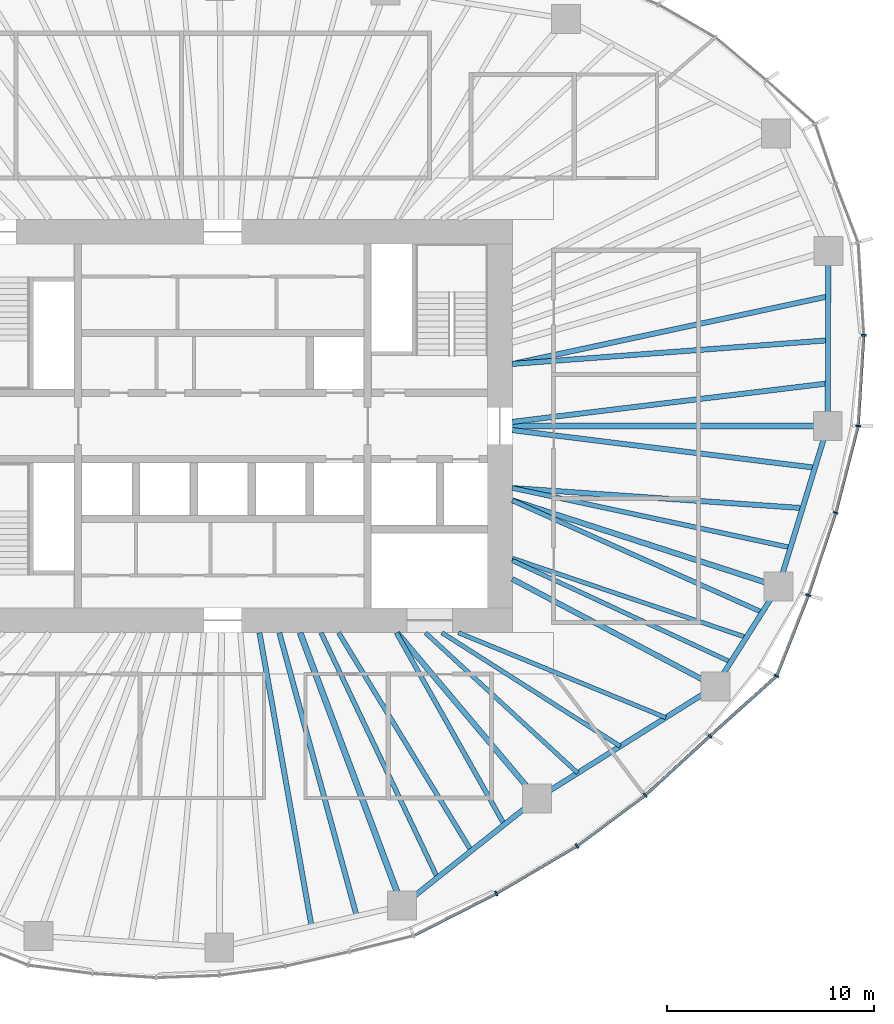
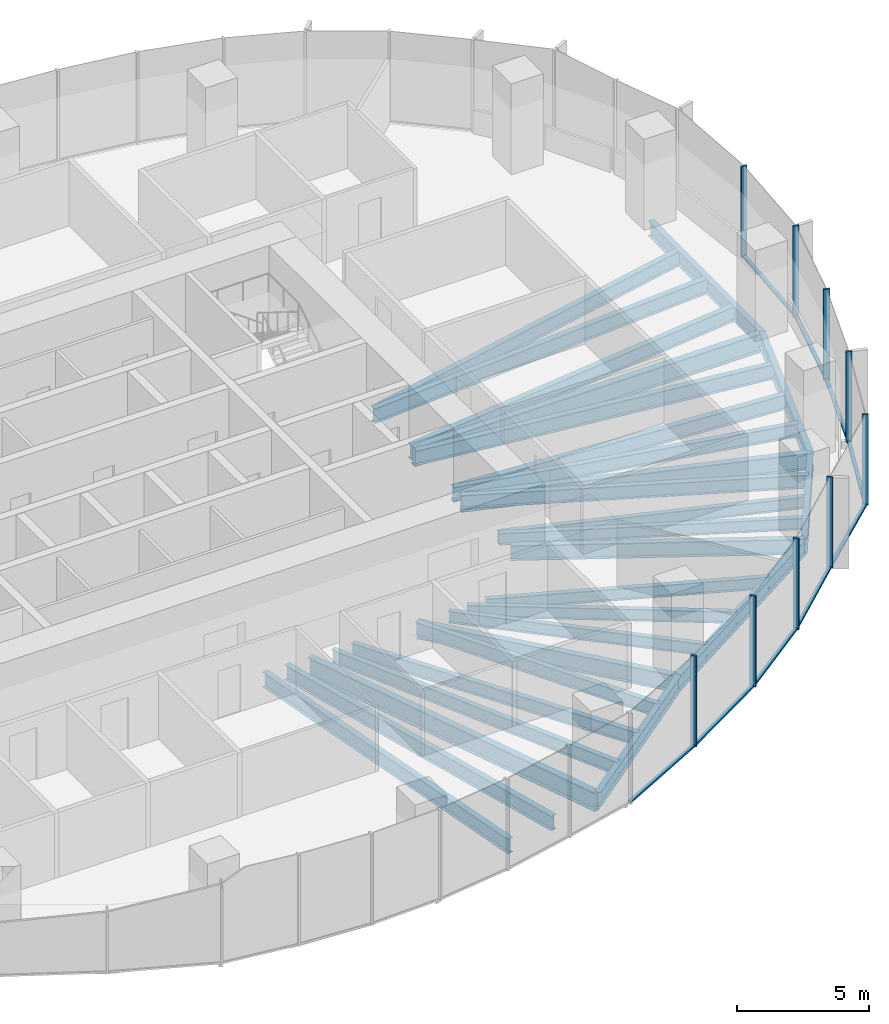
# One storey, part 4 of 18: 27 beams, 18 members, 5 elements without a shape of their own.
"""IFC4 building model written with IfcOpenShell, lengths in metres."""

from ifc_helpers import new_model, si_unit, direction, frame, origin, origin_2d, place, context, subcontext, project, spatial, rectangle, i_section, extrude, material, material_profile, profile_set, type_object, element, aggregate, save


model = new_model("IFC4")

# Units and contexts
model_context = context("Model", 3, precision=1e-05, world=origin(), true_north=direction((0.0, 1.0)))
body_context = subcontext(model_context, "Body", "Model", "MODEL_VIEW")
ifc_project = project(units=[si_unit("LENGTHUNIT", "METRE"), si_unit("AREAUNIT", "SQUARE_METRE"), si_unit("VOLUMEUNIT", "CUBIC_METRE"), si_unit("PLANEANGLEUNIT", "RADIAN"), si_unit("MASSUNIT", "GRAM", prefix="KILO")], contexts=[model_context])

# Site, building, storey
site_placement = place(None, origin())
site = spatial("IfcSite", under=ifc_project, at=site_placement, CompositionType="ELEMENT")
building_placement = place(site_placement, origin())
building = spatial("IfcBuilding", under=site, at=building_placement, Name="Ghaith Harvest Tower", CompositionType="ELEMENT")
storey_placement = place(building_placement, frame((0.0, 0.0, 180.60009765625)))
storey = spatial("IfcBuildingStorey", under=building, at=storey_placement, Name="L39", CompositionType="ELEMENT", Elevation=180.60009765625)

# Curtain wall, members
ifc_material_1 = material(Name="Black anodised aluminium and fritted glass", Category="aluminium")
curtain_wall_type = type_object("IfcCurtainWallType", Name="CW-L CURTAIN WALL", PredefinedType="NOTDEFINED", material=ifc_material_1)
curtain_wall_1_placement = place(storey_placement, origin())
curtain_wall_1 = element("IfcCurtainWall", 1, at=curtain_wall_1_placement, inside=storey, type_object=curtain_wall_type, Name="Curtain wall CW-L bay 01 L39", PredefinedType="NOTDEFINED")
ifc_material_2 = material(Name="Aluminium, black anodised", Category="aluminium")
ifc_material_profile_1 = material_profile(ifc_material_2, rectangle(XDim=0.080078125, YDim=0.239990234375, at=origin_2d()), Name="CW-L MULLION 80x240")
ifc_profile_set_1 = profile_set([ifc_material_profile_1], Name="Aluminium, black anodised")
member_type_1 = type_object("IfcMemberType", Name="CW-L MULLION 80x240", PredefinedType="MULLION", material=ifc_profile_set_1)
member_1_placement = place(storey_placement, frame((30.728759765625, 0.0, 0.0), z_axis=(0.0, 0.0, 1.0), x_axis=(0.155597142981, 0.987820595602, 0.0)))
member_1 = element("IfcMember", 2, at=member_1_placement, type_object=member_type_1, Name="CW-L mullion 1 bay 01 L39", PredefinedType="MULLION", context=body_context, shape_type="SweptSolid", body=[
    extrude(rectangle(XDim=0.080078125, YDim=0.239990234375, at=origin_2d()), origin(), (0.0, 0.0, 1.0), 4.199951171875),
])
member_2_placement = place(storey_placement, frame((30.998779296875, 4.389892578125, 0.0), z_axis=(0.0, 0.0, 1.0), x_axis=(-0.000162467394, 0.999999986802, 0.0)))
member_2 = element("IfcMember", 3, at=member_2_placement, type_object=member_type_1, Name="CW-L mullion 2 bay 01 L39", PredefinedType="MULLION", context=body_context, shape_type="SweptSolid", body=[
    extrude(rectangle(XDim=0.080078125, YDim=0.239990234375, at=origin_2d()), origin(), (0.0, 0.0, 1.0), 4.199951171875),
])

# Curtain wall, member
curtain_wall_2_placement = place(storey_placement, origin())
curtain_wall_2 = element("IfcCurtainWall", 4, at=curtain_wall_2_placement, inside=storey, type_object=curtain_wall_type, Name="Curtain wall CW-L bay 17 L39", PredefinedType="NOTDEFINED")
member_3_placement = place(storey_placement, frame((13.224365234375, -22.614013671875, 0.0), z_axis=(0.0, 0.0, 1.0), x_axis=(0.876898762173, 0.480675109507, 0.0)))
member_3 = element("IfcMember", 5, at=member_3_placement, type_object=member_type_1, Name="CW-L mullion 2 bay 17 L39", PredefinedType="MULLION", context=body_context, shape_type="SweptSolid", body=[
    extrude(rectangle(XDim=0.080078125, YDim=0.239990234375, at=origin_2d()), origin(), (0.0, 0.0, 1.0), 4.199951171875),
])

# Curtain wall, members
curtain_wall_3_placement = place(storey_placement, origin())
curtain_wall_3 = element("IfcCurtainWall", 6, at=curtain_wall_3_placement, inside=storey, type_object=curtain_wall_type, Name="Curtain wall CW-L bay 18 L39", PredefinedType="NOTDEFINED")
member_4_placement = place(storey_placement, frame((17.1318359375, -20.31591796875, 0.0), z_axis=(0.0, 0.0, 1.0), x_axis=(0.834887453241, 0.550420694035, 0.0)))
member_4 = element("IfcMember", 7, at=member_4_placement, type_object=member_type_1, Name="CW-L mullion 1 bay 18 L39", PredefinedType="MULLION", context=body_context, shape_type="SweptSolid", body=[
    extrude(rectangle(XDim=0.080078125, YDim=0.239990234375, at=origin_2d()), origin(), (0.0, 0.0, 1.0), 4.199951171875),
])
member_5_placement = place(storey_placement, frame((20.4296875, -17.86376953125, 0.0), z_axis=(0.0, 0.0, 1.0), x_axis=(0.770306399656, 0.637673937564, 0.0)))
member_5 = element("IfcMember", 8, at=member_5_placement, type_object=member_type_1, Name="CW-L mullion 2 bay 18 L39", PredefinedType="MULLION", context=body_context, shape_type="SweptSolid", body=[
    extrude(rectangle(XDim=0.080078125, YDim=0.239990234375, at=origin_2d()), origin(), (0.0, 0.0, 1.0), 4.199951171875),
])

curtain_wall_4_placement = place(storey_placement, origin())
curtain_wall_4 = element("IfcCurtainWall", 9, at=curtain_wall_4_placement, inside=storey, type_object=curtain_wall_type, Name="Curtain wall CW-L bay 19 L39", PredefinedType="NOTDEFINED")
member_6_placement = place(storey_placement, frame((23.560546875, -14.994140625, 0.0), z_axis=(0.0, 0.0, 1.0), x_axis=(0.740389054945, 0.672178582906, 0.0)))
member_6 = element("IfcMember", 10, at=member_6_placement, type_object=member_type_1, Name="CW-L mullion 1 bay 19 L39", PredefinedType="MULLION", context=body_context, shape_type="SweptSolid", body=[
    extrude(rectangle(XDim=0.080078125, YDim=0.239990234375, at=origin_2d()), origin(), (0.0, 0.0, 1.0), 4.199951171875),
])
member_7_placement = place(storey_placement, frame((26.786376953125, -12.0927734375, 0.0), z_axis=(0.0, 0.0, 1.0), x_axis=(0.572853476908, 0.819657790785, 0.0)))
member_7 = element("IfcMember", 11, at=member_7_placement, type_object=member_type_1, Name="CW-L mullion 2 bay 19 L39", PredefinedType="MULLION", context=body_context, shape_type="SweptSolid", body=[
    extrude(rectangle(XDim=0.080078125, YDim=0.239990234375, at=origin_2d()), origin(), (0.0, 0.0, 1.0), 4.199951171875),
])

curtain_wall_5_placement = place(storey_placement, origin())
curtain_wall_5 = element("IfcCurtainWall", 12, at=curtain_wall_5_placement, inside=storey, type_object=curtain_wall_type, Name="Curtain wall CW-L bay 20 L39", PredefinedType="NOTDEFINED")
member_8_placement = place(storey_placement, frame((28.319580078125, -8.184814453125, 0.0), z_axis=(0.0, 0.0, 1.0), x_axis=(0.34057402484, 0.94021770543, 0.0)))
member_8 = element("IfcMember", 13, at=member_8_placement, type_object=member_type_1, Name="CW-L mullion 1 bay 20 L39", PredefinedType="MULLION", context=body_context, shape_type="SweptSolid", body=[
    extrude(rectangle(XDim=0.080078125, YDim=0.239990234375, at=origin_2d()), origin(), (0.0, 0.0, 1.0), 4.199951171875),
])
member_9_placement = place(storey_placement, frame((29.64599609375, -4.1982421875, 0.0), z_axis=(0.0, 0.0, 1.0), x_axis=(0.282375140161, 0.959304060358, 0.0)))
member_9 = element("IfcMember", 14, at=member_9_placement, type_object=member_type_1, Name="CW-L mullion 2 bay 20 L39", PredefinedType="MULLION", context=body_context, shape_type="SweptSolid", body=[
    extrude(rectangle(XDim=0.080078125, YDim=0.239990234375, at=origin_2d()), origin(), (0.0, 0.0, 1.0), 4.199951171875),
])

# Member
ifc_material_3 = material(Name="Aluminium, black anodised", Category="aluminium")
ifc_material_profile_2 = material_profile(ifc_material_3, rectangle(XDim=0.14990234375, YDim=0.080078125, at=origin_2d()), Name="CW-L TRANSOM 150x80")
ifc_profile_set_2 = profile_set([ifc_material_profile_2], Name="Aluminium, black anodised")
member_type_2 = type_object("IfcMemberType", Name="CW-L TRANSOM 150x80", PredefinedType="USERDEFINED", material=ifc_profile_set_2)
member_10_placement = place(storey_placement, frame((30.731201171875, 0.0400390625, 0.039794921875), z_axis=(0.061403204251, 0.99811304295, 0.0), x_axis=(-0.99811304295, 0.061403204251, 0.0)))
member_10 = element("IfcMember", 15, at=member_10_placement, type_object=member_type_2, Name="CW-L transom 1 bay 01 L39", ObjectType="TRANSOM", PredefinedType="USERDEFINED", context=body_context, shape_type="SweptSolid", body=[
    extrude(rectangle(XDim=0.14990234375, YDim=0.080078125, at=origin_2d()), origin(), (0.0, 0.0, 1.0), 4.31787109375),
])

aggregate(curtain_wall_1, [member_1, member_10, member_2])

member_11_placement = place(storey_placement, frame((9.25244140625, -24.636474609375, 0.039794921875), z_axis=(0.891120044719, 0.453767634258, 0.0), x_axis=(-0.453767634258, 0.891120044719, 0.0)))
member_11 = element("IfcMember", 16, at=member_11_placement, type_object=member_type_2, Name="CW-L transom 1 bay 17 L39", ObjectType="TRANSOM", PredefinedType="USERDEFINED", context=body_context, shape_type="SweptSolid", body=[
    extrude(rectangle(XDim=0.14990234375, YDim=0.080078125, at=origin_2d()), origin(), (0.0, 0.0, 1.0), 4.417236328125),
])

member_12_placement = place(storey_placement, frame((13.259033203125, -22.59375, 0.039794921875), z_axis=(0.86196381091, 0.506969810424, 0.0), x_axis=(-0.506969810424, 0.86196381091, 0.0)))
member_12 = element("IfcMember", 17, at=member_12_placement, type_object=member_type_2, Name="CW-L transom 2 bay 17 L39", ObjectType="TRANSOM", PredefinedType="USERDEFINED", context=body_context, shape_type="SweptSolid", body=[
    extrude(rectangle(XDim=0.14990234375, YDim=0.080078125, at=origin_2d()), origin(), (0.0, 0.0, 1.0), 4.453125),
])

aggregate(curtain_wall_2, [member_11, member_3, member_12])

member_13_placement = place(storey_placement, frame((17.1640625, -20.2919921875, 0.039794921875), z_axis=(0.802465316609, 0.59669876457, 0.0), x_axis=(-0.59669876457, 0.802465316609, 0.0)))
member_13 = element("IfcMember", 18, at=member_13_placement, type_object=member_type_2, Name="CW-L transom 1 bay 18 L39", ObjectType="TRANSOM", PredefinedType="USERDEFINED", context=body_context, shape_type="SweptSolid", body=[
    extrude(rectangle(XDim=0.14990234375, YDim=0.080078125, at=origin_2d()), origin(), (0.0, 0.0, 1.0), 4.029296875),
])

member_14_placement = place(storey_placement, frame((20.459228515625, -17.836669921875, 0.039794921875), z_axis=(0.737197916434, 0.675676869521, 0.0), x_axis=(-0.675676869521, 0.737197916434, 0.0)))
member_14 = element("IfcMember", 19, at=member_14_placement, type_object=member_type_2, Name="CW-L transom 2 bay 18 L39", ObjectType="TRANSOM", PredefinedType="USERDEFINED", context=body_context, shape_type="SweptSolid", body=[
    extrude(rectangle(XDim=0.14990234375, YDim=0.080078125, at=origin_2d()), origin(), (0.0, 0.0, 1.0), 4.166748046875),
])

aggregate(curtain_wall_3, [member_4, member_13, member_5, member_14])

member_15_placement = place(storey_placement, frame((23.59033203125, -14.967529296875, 0.039794921875), z_axis=(0.74346800111, 0.668771509056, 0.0), x_axis=(-0.668771509056, 0.74346800111, 0.0)))
member_15 = element("IfcMember", 20, at=member_15_placement, type_object=member_type_2, Name="CW-L transom 1 bay 19 L39", ObjectType="TRANSOM", PredefinedType="USERDEFINED", context=body_context, shape_type="SweptSolid", body=[
    extrude(rectangle(XDim=0.14990234375, YDim=0.080078125, at=origin_2d()), origin(), (0.0, 0.0, 1.0), 4.2587890625),
])

member_16_placement = place(storey_placement, frame((26.801025390625, -12.055419921875, 0.039794921875), z_axis=(0.365228588652, 0.930917868575, 0.0), x_axis=(-0.930917868575, 0.365228588652, 0.0)))
member_16 = element("IfcMember", 21, at=member_16_placement, type_object=member_type_2, Name="CW-L transom 2 bay 19 L39", ObjectType="TRANSOM", PredefinedType="USERDEFINED", context=body_context, shape_type="SweptSolid", body=[
    extrude(rectangle(XDim=0.14990234375, YDim=0.080078125, at=origin_2d()), origin(), (0.0, 0.0, 1.0), 4.11767578125),
])

aggregate(curtain_wall_4, [member_6, member_15, member_7, member_16])

member_17_placement = place(storey_placement, frame((28.33203125, -8.14697265625, 0.039794921875), z_axis=(0.315712391444, 0.948854934059, 0.0), x_axis=(-0.948854934059, 0.315712391444, 0.0)))
member_17 = element("IfcMember", 22, at=member_17_placement, type_object=member_type_2, Name="CW-L transom 1 bay 20 L39", ObjectType="TRANSOM", PredefinedType="USERDEFINED", context=body_context, shape_type="SweptSolid", body=[
    extrude(rectangle(XDim=0.14990234375, YDim=0.080078125, at=origin_2d()), origin(), (0.0, 0.0, 1.0), 4.12158203125),
])

member_18_placement = place(storey_placement, frame((29.656005859375, -4.159423828125, 0.039794921875), z_axis=(0.249737470584, 0.968313583395, 0.0), x_axis=(-0.968313583395, 0.249737470584, 0.0)))
member_18 = element("IfcMember", 23, at=member_18_placement, type_object=member_type_2, Name="CW-L transom 2 bay 20 L39", ObjectType="TRANSOM", PredefinedType="USERDEFINED", context=body_context, shape_type="SweptSolid", body=[
    extrude(rectangle(XDim=0.14990234375, YDim=0.080078125, at=origin_2d()), origin(), (0.0, 0.0, 1.0), 4.25537109375),
])

aggregate(curtain_wall_5, [member_8, member_17, member_9, member_18])

# Beams
ifc_material_4 = material(Name="Steel ASTM A992 Grade 50", Category="steel")
ifc_material_profile_3 = material_profile(ifc_material_4, i_section(OverallWidth=0.25390625, OverallDepth=0.68408203125, WebThickness=0.012451171875, FlangeThickness=0.018798828125, at=origin_2d()), Name="W690X140")
ifc_profile_set_3 = profile_set([ifc_material_profile_3], Name="Steel ASTM A992 Grade 50")
beam_type_1 = type_object("IfcBeamType", Name="E690-140 W690X140", PredefinedType="SPANDREL", material=ifc_profile_set_3)
beam_1_placement = place(storey_placement, frame((29.259033203125, 0.0, -0.51220703125), z_axis=(0.003172847394, 0.999994966507, 0.0), x_axis=(-0.999994966507, 0.003172847394, 0.0)))
element("IfcBeam", 24, at=beam_1_placement, inside=storey, type_object=beam_type_1, Name="Edge beam E01 L39", PredefinedType="SPANDREL", context=body_context, shape_type="SweptSolid", body=[
    extrude(i_section(OverallWidth=0.25390625, OverallDepth=0.68408203125, WebThickness=0.012451171875, FlangeThickness=0.018798828125, at=origin_2d()), origin(), (0.0, 0.0, 1.0), 8.464111328125),
])
beam_2_placement = place(storey_placement, frame((8.674072265625, -23.202880859375, -0.51220703125), z_axis=(0.783159540917, 0.621820821033, 0.0), x_axis=(-0.621820821033, 0.783159540917, 0.0)))
element("IfcBeam", 25, at=beam_2_placement, inside=storey, type_object=beam_type_1, Name="Edge beam E17 L39", PredefinedType="SPANDREL", context=body_context, shape_type="SweptSolid", body=[
    extrude(i_section(OverallWidth=0.25390625, OverallDepth=0.68408203125, WebThickness=0.012451171875, FlangeThickness=0.018798828125, at=origin_2d()), origin(), (0.0, 0.0, 1.0), 8.330322265625),
])
beam_3_placement = place(storey_placement, frame((15.197998046875, -18.02294921875, -0.51220703125), z_axis=(0.846385185363, 0.532571232793, 0.0), x_axis=(-0.532571232793, 0.846385185363, 0.0)))
element("IfcBeam", 26, at=beam_3_placement, inside=storey, type_object=beam_type_1, Name="Edge beam E18 L39", PredefinedType="SPANDREL", context=body_context, shape_type="SweptSolid", body=[
    extrude(i_section(OverallWidth=0.25390625, OverallDepth=0.68408203125, WebThickness=0.012451171875, FlangeThickness=0.018798828125, at=origin_2d()), origin(), (0.0, 0.0, 1.0), 10.19384765625),
])
beam_4_placement = place(storey_placement, frame((23.825927734375, -12.593994140625, -0.51220703125), z_axis=(0.534499624093, 0.845168712059, 0.0), x_axis=(-0.845168712059, 0.534499624093, 0.0)))
element("IfcBeam", 27, at=beam_4_placement, inside=storey, type_object=beam_type_1, Name="Edge beam E19 L39", PredefinedType="SPANDREL", context=body_context, shape_type="SweptSolid", body=[
    extrude(i_section(OverallWidth=0.25390625, OverallDepth=0.68408203125, WebThickness=0.012451171875, FlangeThickness=0.018798828125, at=origin_2d()), origin(), (0.0, 0.0, 1.0), 5.7099609375),
])
beam_5_placement = place(storey_placement, frame((26.8779296875, -7.76806640625, -0.51220703125), z_axis=(0.293065809375, 0.956092271371, 0.0), x_axis=(-0.956092271371, 0.293065809375, 0.0)))
element("IfcBeam", 28, at=beam_5_placement, inside=storey, type_object=beam_type_1, Name="Edge beam E20 L39", PredefinedType="SPANDREL", context=body_context, shape_type="SweptSolid", body=[
    extrude(i_section(OverallWidth=0.25390625, OverallDepth=0.68408203125, WebThickness=0.012451171875, FlangeThickness=0.018798828125, at=origin_2d()), origin(), (0.0, 0.0, 1.0), 8.124755859375),
])
ifc_material_5 = material(Name="Steel ASTM A992 Grade 50", Category="steel")
ifc_material_profile_4 = material_profile(ifc_material_5, i_section(OverallWidth=0.256103515625, OverallDepth=0.693115234375, WebThickness=0.014404296875, FlangeThickness=0.023681640625, at=origin_2d()), Name="W690X170")
ifc_profile_set_4 = profile_set([ifc_material_profile_4], Name="Steel ASTM A992 Grade 50")
beam_type_2 = type_object("IfcBeamType", Name="G690-170 W690X170", PredefinedType="BEAM", material=ifc_profile_set_4)
beam_6_placement = place(storey_placement, frame((14.0, -7.39990234375, -0.5166015625), z_axis=(0.884080549082, -0.467334551189, 0.0), x_axis=(0.467334551189, 0.884080549082, 0.0)))
element("IfcBeam", 29, at=beam_6_placement, inside=storey, type_object=beam_type_2, Name="Radial girder G19 L39", PredefinedType="BEAM", context=body_context, shape_type="SweptSolid", body=[
    extrude(i_section(OverallWidth=0.256103515625, OverallDepth=0.693115234375, WebThickness=0.014404296875, FlangeThickness=0.023681640625, at=origin_2d()), origin(), (0.0, 0.0, 1.0), 11.1142578125),
])
ifc_material_6 = material(Name="Steel ASTM A992 Grade 50", Category="steel")
ifc_material_profile_5 = material_profile(ifc_material_6, i_section(OverallWidth=0.26806640625, OverallDepth=0.77001953125, WebThickness=0.015625, FlangeThickness=0.025390625, at=origin_2d()), Name="W760X196")
ifc_profile_set_5 = profile_set([ifc_material_profile_5], Name="Steel ASTM A992 Grade 50")
beam_type_3 = type_object("IfcBeamType", Name="G760-196 W760X196", PredefinedType="BEAM", material=ifc_profile_set_5)
beam_7_placement = place(storey_placement, frame((8.4326171875, -10.0, -0.55517578125), z_axis=(0.644649240595, -0.764478486682, 0.0), x_axis=(0.764478486682, 0.644649240595, 0.0)))
element("IfcBeam", 30, at=beam_7_placement, inside=storey, type_object=beam_type_3, Name="Radial girder G18 L39", PredefinedType="BEAM", context=body_context, shape_type="SweptSolid", body=[
    extrude(i_section(OverallWidth=0.26806640625, OverallDepth=0.77001953125, WebThickness=0.015625, FlangeThickness=0.025390625, at=origin_2d()), origin(), (0.0, 0.0, 1.0), 10.49462890625),
])
beam_8_placement = place(storey_placement, frame((14.0, -3.60009765625, -0.55517578125), z_axis=(0.951410331565, -0.307925934262, 0.0), x_axis=(0.307925934262, 0.951410331565, 0.0)))
element("IfcBeam", 31, at=beam_8_placement, inside=storey, type_object=beam_type_3, Name="Radial girder G20 L39", PredefinedType="BEAM", context=body_context, shape_type="SweptSolid", body=[
    extrude(i_section(OverallWidth=0.26806640625, OverallDepth=0.77001953125, WebThickness=0.015625, FlangeThickness=0.025390625, at=origin_2d()), origin(), (0.0, 0.0, 1.0), 13.53564453125),
])
ifc_material_7 = material(Name="Steel ASTM A992 Grade 50", Category="steel")
ifc_material_profile_6 = material_profile(ifc_material_7, i_section(OverallWidth=0.2939453125, OverallDepth=0.85107421875, WebThickness=0.01611328125, FlangeThickness=0.02685546875, at=origin_2d()), Name="W840X226")
ifc_profile_set_6 = profile_set([ifc_material_profile_6], Name="Steel ASTM A992 Grade 50")
beam_type_4 = type_object("IfcBeamType", Name="G840-226 W840X226", PredefinedType="BEAM", material=ifc_profile_set_6)
beam_9_placement = place(storey_placement, frame((14.0, 0.0, -0.595703125), z_axis=(1.0, 0.0, 0.0), x_axis=(0.0, 1.0, 0.0)))
element("IfcBeam", 32, at=beam_9_placement, inside=storey, type_object=beam_type_4, Name="Radial girder G01 L39", PredefinedType="BEAM", context=body_context, shape_type="SweptSolid", body=[
    extrude(i_section(OverallWidth=0.2939453125, OverallDepth=0.85107421875, WebThickness=0.01611328125, FlangeThickness=0.02685546875, at=origin_2d()), origin(), (0.0, 0.0, 1.0), 15.259033203125),
])
beam_10_placement = place(storey_placement, frame((3.73828125, -10.0, -0.595703125), z_axis=(0.350172283717, -0.936685310932, 0.0), x_axis=(0.936685310932, 0.350172283717, 0.0)))
element("IfcBeam", 33, at=beam_10_placement, inside=storey, type_object=beam_type_4, Name="Radial girder G17 L39", PredefinedType="BEAM", context=body_context, shape_type="SweptSolid", body=[
    extrude(i_section(OverallWidth=0.2939453125, OverallDepth=0.85107421875, WebThickness=0.01611328125, FlangeThickness=0.02685546875, at=origin_2d()), origin(), (0.0, 0.0, 1.0), 14.09521484375),
])
ifc_material_8 = material(Name="Steel ASTM A992 Grade 50", Category="steel")
ifc_material_profile_7 = material_profile(ifc_material_8, i_section(OverallWidth=0.2109375, OverallDepth=0.5390625, WebThickness=0.01171875, FlangeThickness=0.018798828125, at=origin_2d()), Name="W530X109")
ifc_profile_set_7 = profile_set([ifc_material_profile_7], Name="Steel ASTM A992 Grade 50")
beam_type_5 = type_object("IfcBeamType", Name="J530-109 W530X109", PredefinedType="JOIST", material=ifc_profile_set_7)
beam_11_placement = place(storey_placement, frame((9.800048828125, -10.0, -0.439697265625), z_axis=(0.735441512033, -0.677588210035, 0.0), x_axis=(0.677588210035, 0.735441512033, 0.0)))
element("IfcBeam", 34, at=beam_11_placement, inside=storey, type_object=beam_type_5, Name="Joist J18.1 L39", PredefinedType="JOIST", context=body_context, shape_type="SweptSolid", body=[
    extrude(i_section(OverallWidth=0.2109375, OverallDepth=0.5390625, WebThickness=0.01171875, FlangeThickness=0.018798828125, at=origin_2d()), origin(), (0.0, 0.0, 1.0), 10.01416015625),
])
beam_12_placement = place(storey_placement, frame((10.60009765625, -10.0, -0.439697265625), z_axis=(0.843584777848, -0.536996017288, 0.0), x_axis=(0.536996017288, 0.843584777848, 0.0)))
element("IfcBeam", 35, at=beam_12_placement, inside=storey, type_object=beam_type_5, Name="Joist J18.2 L39", PredefinedType="JOIST", context=body_context, shape_type="SweptSolid", body=[
    extrude(i_section(OverallWidth=0.2109375, OverallDepth=0.5390625, WebThickness=0.01171875, FlangeThickness=0.018798828125, at=origin_2d()), origin(), (0.0, 0.0, 1.0), 10.22314453125),
])
beam_13_placement = place(storey_placement, frame((11.39990234375, -10.0, -0.439697265625), z_axis=(0.925406878607, -0.378975077053, 0.0), x_axis=(0.378975077053, 0.925406878607, 0.0)))
element("IfcBeam", 36, at=beam_13_placement, inside=storey, type_object=beam_type_5, Name="Joist J18.3 L39", PredefinedType="JOIST", context=body_context, shape_type="SweptSolid", body=[
    extrude(i_section(OverallWidth=0.2109375, OverallDepth=0.5390625, WebThickness=0.01171875, FlangeThickness=0.018798828125, at=origin_2d()), origin(), (0.0, 0.0, 1.0), 10.83251953125),
])
beam_14_placement = place(storey_placement, frame((14.0, -6.506103515625, -0.439697265625), z_axis=(0.906863188232, -0.421425150922, 0.0), x_axis=(0.421425150922, 0.906863188232, 0.0)))
element("IfcBeam", 37, at=beam_14_placement, inside=storey, type_object=beam_type_5, Name="Joist J19.1 L39", PredefinedType="JOIST", context=body_context, shape_type="SweptSolid", body=[
    extrude(i_section(OverallWidth=0.2109375, OverallDepth=0.5390625, WebThickness=0.01171875, FlangeThickness=0.018798828125, at=origin_2d()), origin(), (0.0, 0.0, 1.0), 11.6552734375),
])
beam_15_placement = place(storey_placement, frame((14.0, -6.39990234375, -0.439697265625), z_axis=(0.947372072272, -0.320134591508, 0.0), x_axis=(0.320134591508, 0.947372072272, 0.0)))
element("IfcBeam", 38, at=beam_15_placement, inside=storey, type_object=beam_type_5, Name="Joist J19.2 L39", PredefinedType="JOIST", context=body_context, shape_type="SweptSolid", body=[
    extrude(i_section(OverallWidth=0.2109375, OverallDepth=0.5390625, WebThickness=0.01171875, FlangeThickness=0.018798828125, at=origin_2d()), origin(), (0.0, 0.0, 1.0), 11.95263671875),
])
ifc_material_9 = material(Name="Steel ASTM A992 Grade 50", Category="steel")
ifc_material_profile_8 = material_profile(ifc_material_9, i_section(OverallWidth=0.22900390625, OverallDepth=0.612060546875, WebThickness=0.011962890625, FlangeThickness=0.01953125, at=origin_2d()), Name="W610X125")
ifc_profile_set_8 = profile_set([ifc_material_profile_8], Name="Steel ASTM A992 Grade 50")
beam_type_6 = type_object("IfcBeamType", Name="J610-125 W610X125", PredefinedType="JOIST", material=ifc_profile_set_8)
beam_16_placement = place(storey_placement, frame((4.75, -10.0, -0.47607421875), z_axis=(0.429062888327, -0.903274619294, 0.0), x_axis=(0.903274619294, 0.429062888327, 0.0)))
element("IfcBeam", 39, at=beam_16_placement, inside=storey, type_object=beam_type_6, Name="Joist J17.1 L39", PredefinedType="JOIST", context=body_context, shape_type="SweptSolid", body=[
    extrude(i_section(OverallWidth=0.22900390625, OverallDepth=0.612060546875, WebThickness=0.011962890625, FlangeThickness=0.01953125, at=origin_2d()), origin(), (0.0, 0.0, 1.0), 13.118408203125),
])
beam_17_placement = place(storey_placement, frame((5.60009765625, -10.0, -0.47607421875), z_axis=(0.51969412955, -0.854352393167, 0.0), x_axis=(0.854352393167, 0.51969412955, 0.0)))
element("IfcBeam", 40, at=beam_17_placement, inside=storey, type_object=beam_type_6, Name="Joist J17.2 L39", PredefinedType="JOIST", context=body_context, shape_type="SweptSolid", body=[
    extrude(i_section(OverallWidth=0.22900390625, OverallDepth=0.612060546875, WebThickness=0.011962890625, FlangeThickness=0.01953125, at=origin_2d()), origin(), (0.0, 0.0, 1.0), 12.34716796875),
])
beam_18_placement = place(storey_placement, frame((8.39990234375, -10.0, -0.47607421875), z_axis=(0.489936713337, -0.871758003648, 0.0), x_axis=(0.871758003648, 0.489936713337, 0.0)))
element("IfcBeam", 41, at=beam_18_placement, inside=storey, type_object=beam_type_6, Name="Joist J17.3 L39", PredefinedType="JOIST", context=body_context, shape_type="SweptSolid", body=[
    extrude(i_section(OverallWidth=0.22900390625, OverallDepth=0.612060546875, WebThickness=0.011962890625, FlangeThickness=0.01953125, at=origin_2d()), origin(), (0.0, 0.0, 1.0), 10.64501953125),
])
beam_19_placement = place(storey_placement, frame((14.0, -3.60009765625, -0.47607421875), z_axis=(0.912738327266, -0.408544668231, 0.0), x_axis=(0.408544668231, 0.912738327266, 0.0)))
element("IfcBeam", 42, at=beam_19_placement, inside=storey, type_object=beam_type_6, Name="Joist J19.3 L39", PredefinedType="JOIST", context=body_context, shape_type="SweptSolid", body=[
    extrude(i_section(OverallWidth=0.22900390625, OverallDepth=0.612060546875, WebThickness=0.011962890625, FlangeThickness=0.01953125, at=origin_2d()), origin(), (0.0, 0.0, 1.0), 13.247314453125),
])
beam_20_placement = place(storey_placement, frame((14.0, -3.0, -0.47607421875), z_axis=(0.97783433664, -0.209380061343, 0.0), x_axis=(0.209380061343, 0.97783433664, 0.0)))
element("IfcBeam", 43, at=beam_20_placement, inside=storey, type_object=beam_type_6, Name="Joist J20.1 L39", PredefinedType="JOIST", context=body_context, shape_type="SweptSolid", body=[
    extrude(i_section(OverallWidth=0.22900390625, OverallDepth=0.612060546875, WebThickness=0.011962890625, FlangeThickness=0.01953125, at=origin_2d()), origin(), (0.0, 0.0, 1.0), 13.76123046875),
])
ifc_material_10 = material(Name="Steel ASTM A992 Grade 50", Category="steel")
ifc_material_profile_9 = material_profile(ifc_material_10, i_section(OverallWidth=0.25390625, OverallDepth=0.68408203125, WebThickness=0.012451171875, FlangeThickness=0.018798828125, at=origin_2d()), Name="W690X140")
ifc_profile_set_9 = profile_set([ifc_material_profile_9], Name="Steel ASTM A992 Grade 50")
beam_type_7 = type_object("IfcBeamType", Name="J690-140 W690X140", PredefinedType="JOIST", material=ifc_profile_set_9)
beam_21_placement = place(storey_placement, frame((14.0, 0.199951171875, -0.51220703125), z_axis=(0.992642759881, 0.121079937462, 0.0), x_axis=(-0.121079937462, 0.992642759881, 0.0)))
element("IfcBeam", 44, at=beam_21_placement, inside=storey, type_object=beam_type_7, Name="Joist J01.1 L39", PredefinedType="JOIST", context=body_context, shape_type="SweptSolid", body=[
    extrude(i_section(OverallWidth=0.25390625, OverallDepth=0.68408203125, WebThickness=0.012451171875, FlangeThickness=0.018798828125, at=origin_2d()), origin(), (0.0, 0.0, 1.0), 15.378662109375),
])
beam_22_placement = place(storey_placement, frame((14.0, 3.0, -0.51220703125), z_axis=(0.997200052902, 0.074780040735, 0.0), x_axis=(-0.074780040735, 0.997200052902, 0.0)))
element("IfcBeam", 45, at=beam_22_placement, inside=storey, type_object=beam_type_7, Name="Joist J01.2 L39", PredefinedType="JOIST", context=body_context, shape_type="SweptSolid", body=[
    extrude(i_section(OverallWidth=0.25390625, OverallDepth=0.68408203125, WebThickness=0.012451171875, FlangeThickness=0.018798828125, at=origin_2d()), origin(), (0.0, 0.0, 1.0), 15.315185546875),
])
beam_23_placement = place(storey_placement, frame((14.0, 3.0, -0.51220703125), z_axis=(0.977833271545, 0.209385035425, 0.0), x_axis=(-0.209385035425, 0.977833271545, 0.0)))
element("IfcBeam", 46, at=beam_23_placement, inside=storey, type_object=beam_type_7, Name="Joist J01.3 L39", PredefinedType="JOIST", context=body_context, shape_type="SweptSolid", body=[
    extrude(i_section(OverallWidth=0.25390625, OverallDepth=0.68408203125, WebThickness=0.012451171875, FlangeThickness=0.018798828125, at=origin_2d()), origin(), (0.0, 0.0, 1.0), 15.62548828125),
])
beam_24_placement = place(storey_placement, frame((1.772705078125, -10.0, -0.51220703125), z_axis=(0.174552818486, -0.98464781194, 0.0), x_axis=(0.98464781194, 0.174552818486, 0.0)))
element("IfcBeam", 47, at=beam_24_placement, inside=storey, type_object=beam_type_7, Name="Joist J16.2 L39", PredefinedType="JOIST", context=body_context, shape_type="SweptSolid", body=[
    extrude(i_section(OverallWidth=0.25390625, OverallDepth=0.68408203125, WebThickness=0.012451171875, FlangeThickness=0.018798828125, at=origin_2d()), origin(), (0.0, 0.0, 1.0), 14.42578125),
])
beam_25_placement = place(storey_placement, frame((2.73095703125, -10.0, -0.51220703125), z_axis=(0.263463446032, -0.964669379946, 0.0), x_axis=(0.964669379946, 0.263463446032, 0.0)))
element("IfcBeam", 48, at=beam_25_placement, inside=storey, type_object=beam_type_7, Name="Joist J16.3 L39", PredefinedType="JOIST", context=body_context, shape_type="SweptSolid", body=[
    extrude(i_section(OverallWidth=0.25390625, OverallDepth=0.68408203125, WebThickness=0.012451171875, FlangeThickness=0.018798828125, at=origin_2d()), origin(), (0.0, 0.0, 1.0), 14.20751953125),
])
beam_26_placement = place(storey_placement, frame((14.0, -3.0, -0.51220703125), z_axis=(0.997616678907, -0.068999724397, 0.0), x_axis=(0.068999724397, 0.997616678907, 0.0)))
element("IfcBeam", 49, at=beam_26_placement, inside=storey, type_object=beam_type_7, Name="Joist J20.2 L39", PredefinedType="JOIST", context=body_context, shape_type="SweptSolid", body=[
    extrude(i_section(OverallWidth=0.25390625, OverallDepth=0.68408203125, WebThickness=0.012451171875, FlangeThickness=0.018798828125, at=origin_2d()), origin(), (0.0, 0.0, 1.0), 14.0751953125),
])
beam_27_placement = place(storey_placement, frame((14.0, -0.199951171875, -0.51220703125), z_axis=(0.992379127816, -0.123222021874, 0.0), x_axis=(0.123222021874, 0.992379127816, 0.0)))
element("IfcBeam", 50, at=beam_27_placement, inside=storey, type_object=beam_type_7, Name="Joist J20.3 L39", PredefinedType="JOIST", context=body_context, shape_type="SweptSolid", body=[
    extrude(i_section(OverallWidth=0.25390625, OverallDepth=0.68408203125, WebThickness=0.012451171875, FlangeThickness=0.018798828125, at=origin_2d()), origin(), (0.0, 0.0, 1.0), 14.7529296875),
])

save(model, "model.ifc")
